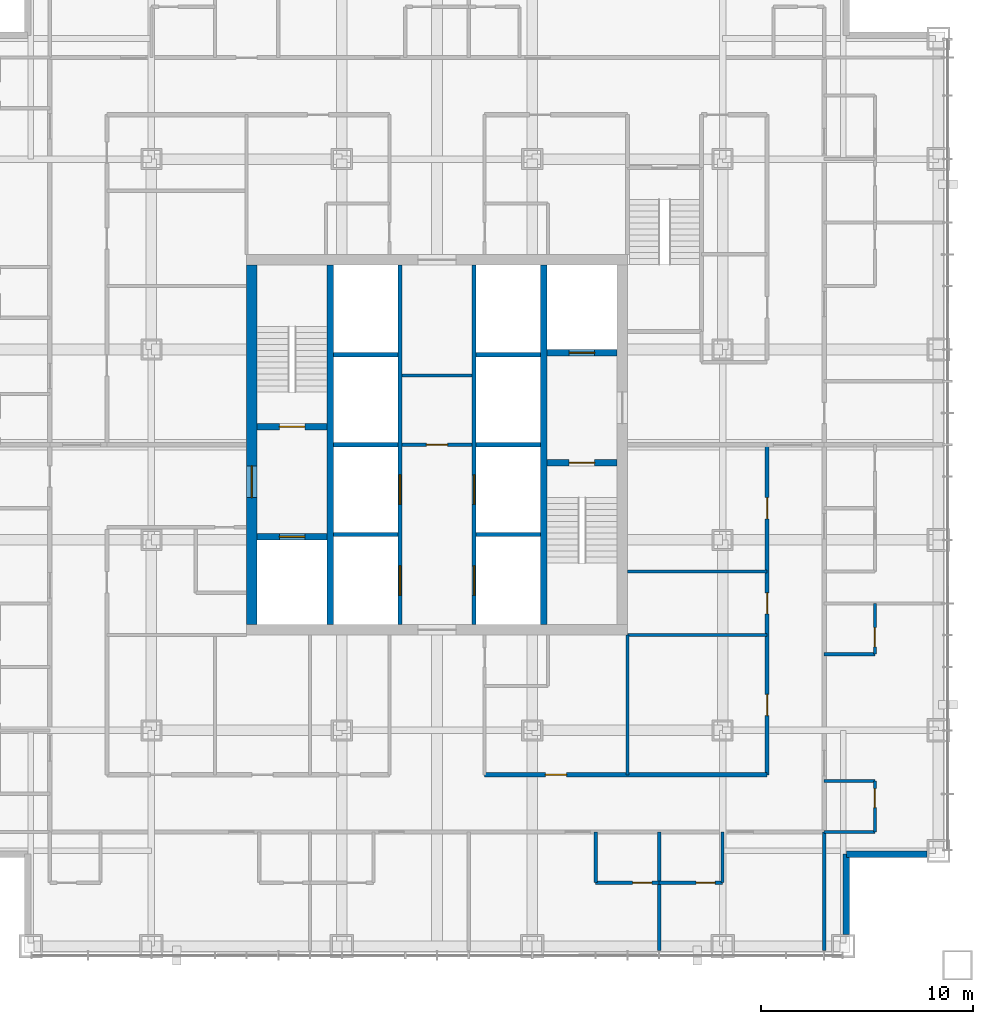
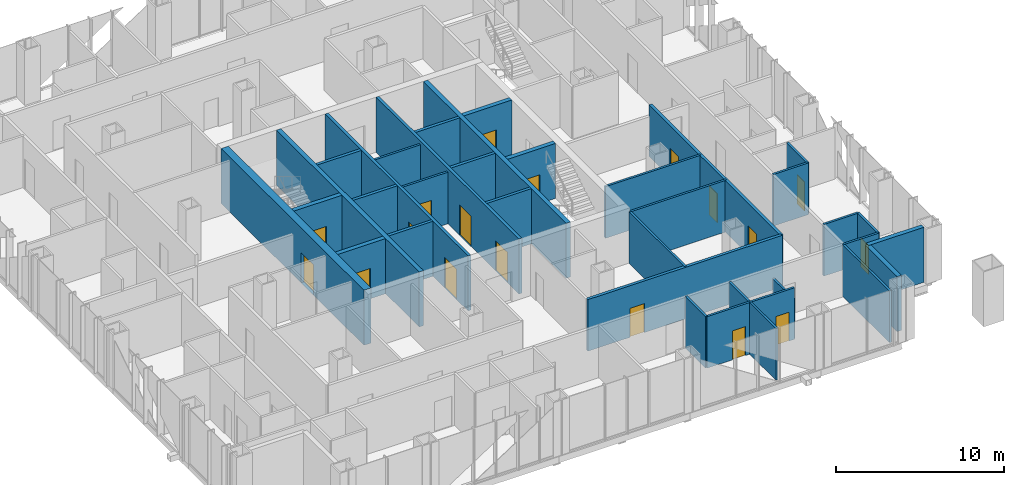
# One storey, part 10 of 14: 35 walls, 18 doors, 18 openings.
"""IFC4 building model written with IfcOpenShell, lengths in metres."""

import ifcopenshell
import ifcopenshell.guid

model = None  # the IFC model being written
_history = None  # IfcOwnerHistory: only IFC2X3 demands one
_inside = {}  # id of a spatial element -> (the spatial element, [elements in it])
_under = {}  # id of a project, library or spatial element -> (it, [spatial elements below it])
_declared = {}  # id of a project -> (the project, [libraries it declares])
_typed = {}  # id of a type object -> (the type object, [elements of that type])
_made_of = {}  # id of a material, layer set ... -> (it, [elements and type objects made of it])


def new_model(schema):
    """Start an empty IFC model of exactly this schema.

    Asked for "IFC4X3", IfcOpenShell would pick the latest addendum, in which some entities
    have other attributes; the version numbers below select the first issue.
    IFC2X3 requires an IfcOwnerHistory on every rooted entity: one is made here for all.
    """
    global model, _history
    if schema == "IFC4X3":
        model = ifcopenshell.file(schema_version=(4, 3, 0, 0))
    else:
        model = ifcopenshell.file(schema=schema)
    _inside.clear()
    _under.clear()
    _declared.clear()
    _typed.clear()
    _made_of.clear()
    _history = None
    if model.schema == "IFC2X3":
        org = make("IfcOrganization", Name="unknown")
        user = make(
            "IfcPersonAndOrganization",
            ThePerson=make("IfcPerson", FamilyName="unknown"),
            TheOrganization=org,
        )
        app = make(
            "IfcApplication",
            ApplicationDeveloper=org,
            Version="unknown",
            ApplicationFullName="unknown",
            ApplicationIdentifier="unknown",
        )
        _history = make(
            "IfcOwnerHistory",
            OwningUser=user,
            OwningApplication=app,
            ChangeAction="ADDED",
            CreationDate=0,
        )
    return model


def make(cls, **values):
    """One entity of the class cls with the attributes given. An attribute that is None is left unset."""
    return model.create_entity(
        cls, **{name: value for name, value in values.items() if value is not None}
    )


def rooted(cls, **values):
    """An entity with a GlobalId (a new one), such as an element, a storey or a relation."""
    return make(cls, GlobalId=ifcopenshell.guid.new(), OwnerHistory=_history, **values)


def si_unit(unit_type, name, prefix=None):
    """IfcSIUnit, for example si_unit("LENGTHUNIT", "METRE", prefix="MILLI")."""
    return make("IfcSIUnit", UnitType=unit_type, Prefix=prefix, Name=name)


def assignment(units):
    """IfcUnitAssignment: the units of a project."""
    return None if units is None else make("IfcUnitAssignment", Units=units)


def point(xyz):
    """IfcCartesianPoint."""
    return None if xyz is None else make("IfcCartesianPoint", Coordinates=xyz)


def direction(xyz):
    """IfcDirection."""
    return None if xyz is None else make("IfcDirection", DirectionRatios=xyz)


def frame(location, z_axis=None, x_axis=None):
    """IfcAxis2Placement3D, a coordinate frame: its origin and axes. An axis left out is left unset."""
    return make(
        "IfcAxis2Placement3D",
        Location=point(location),
        Axis=direction(z_axis),
        RefDirection=direction(x_axis),
    )


def frame_2d(location, x_axis=None):
    """IfcAxis2Placement2D, a coordinate frame in the plane: its origin and x axis."""
    return make(
        "IfcAxis2Placement2D", Location=point(location), RefDirection=direction(x_axis)
    )


def origin():
    """The frame at (0, 0, 0) with its axes left unset."""
    return frame((0.0, 0.0, 0.0))


def place(relative_to, where):
    """IfcLocalPlacement: puts the frame where relative to a parent placement (None: the world)."""
    return make(
        "IfcLocalPlacement", PlacementRelTo=relative_to, RelativePlacement=where
    )


def context(
    kind, dimensions, precision=None, world=None, true_north=None, identifier=None
):
    """IfcGeometricRepresentationContext, for example the 3D "Model" context."""
    return make(
        "IfcGeometricRepresentationContext",
        ContextIdentifier=identifier,
        ContextType=kind,
        CoordinateSpaceDimension=dimensions,
        Precision=precision,
        WorldCoordinateSystem=world,
        TrueNorth=true_north,
    )


def subcontext(parent, identifier, kind, view, scale=None):
    """IfcGeometricRepresentationSubContext, for example "Body" below "Model"."""
    return make(
        "IfcGeometricRepresentationSubContext",
        ContextIdentifier=identifier,
        ContextType=kind,
        ParentContext=parent,
        TargetScale=scale,
        TargetView=view,
    )


def project(units=None, contexts=None):
    """IfcProject with its units and contexts."""
    return rooted(
        "IfcProject",
        Name="project",
        RepresentationContexts=contexts,
        UnitsInContext=assignment(units),
    )


def spatial(cls, under=None, at=None, **own):
    """A site, building, storey or space (cls), placed at a placement, below another one or the project."""
    s = rooted(cls, ObjectPlacement=at, **own)
    if under is not None:
        _under.setdefault(under.id(), (under, []))[1].append(s)
    return s


def profile(cls, at=None, kind="AREA", **sizes):
    """A parametric profile (cls). Its sizes go by their IFC names, for example OverallWidth=200.0."""
    return make(cls, ProfileType=kind, Position=at, **sizes)


def rectangle(**sizes):
    """IfcRectangleProfileDef."""
    return profile("IfcRectangleProfileDef", **sizes)


def extrude(swept, where, along, depth):
    """IfcExtrudedAreaSolid: the profile swept, set in the frame where, extruded along a direction by depth."""
    return make(
        "IfcExtrudedAreaSolid",
        SweptArea=swept,
        Position=where,
        ExtrudedDirection=direction(along),
        Depth=depth,
    )


def shape(context_of_items, identifier, shape_type, items):
    """IfcShapeRepresentation: the items that make up one representation, for example the "Body"."""
    return make(
        "IfcShapeRepresentation",
        ContextOfItems=context_of_items,
        RepresentationIdentifier=identifier,
        RepresentationType=shape_type,
        Items=items,
    )


def material(Name=None, Category=None):
    """IfcMaterial."""
    return make("IfcMaterial", Name=Name, Category=Category)


def layer(
    of_material, thickness, ventilated=None, Name=None, Category=None, Priority=None
):
    """IfcMaterialLayer: one layer of a wall or slab, of a material (None: an air gap)."""
    return make(
        "IfcMaterialLayer",
        Material=of_material,
        LayerThickness=thickness,
        IsVentilated=ventilated,
        Name=Name,
        Category=Category,
        Priority=Priority,
    )


def layer_set(layers, Name=None):
    """IfcMaterialLayerSet."""
    return make("IfcMaterialLayerSet", MaterialLayers=layers, LayerSetName=Name)


def made_of(thing, what):
    """Note that an element or type object is made of a material, layer set ...; save() writes the relation."""
    if what is not None:
        _made_of.setdefault(what.id(), (what, []))[1].append(thing)
    return thing


def type_object(cls, material=None, **own):
    """A type object (cls), such as IfcWallType, which elements share."""
    return made_of(rooted(cls, **own), material)


def element(
    cls,
    number,
    at=None,
    inside=None,
    cuts=None,
    type_object=None,
    material=None,
    context=None,
    identifier="Body",
    shape_type=None,
    held_by="IfcProductDefinitionShape",
    body=None,
    shapes=None,
    **own,
):
    """One element of the class cls, such as IfcWall. Its Tag is "e" and its number.

    at: its placement. inside: the storey or other place that contains it. cuts: it is an
    opening in that element (IfcRelVoidsElement). A single representation is given by context,
    identifier, shape_type and body (its items); several are given by shapes. held_by: the class
    of the entity that holds the representations. save() writes the other relations.
    """
    e = rooted(cls, Tag="e%d" % number, ObjectPlacement=at, **own)
    if body is not None:
        shapes = [shape(context, identifier, shape_type, body)]
    if shapes is not None:
        e.Representation = make(held_by, Representations=shapes)
    if inside is not None:
        _inside.setdefault(inside.id(), (inside, []))[1].append(e)
    if cuts is not None:
        rooted(
            "IfcRelVoidsElement", RelatingBuildingElement=cuts, RelatedOpeningElement=e
        )
    if type_object is not None:
        _typed.setdefault(type_object.id(), (type_object, []))[1].append(e)
    return made_of(e, material)


def fill(opening, filler):
    """IfcRelFillsElement: the door or window that sits in an opening."""
    return rooted(
        "IfcRelFillsElement",
        RelatingOpeningElement=opening,
        RelatedBuildingElement=filler,
    )


def aggregate(whole, parts):
    """IfcRelAggregates: a whole, such as a stair, and the parts it consists of."""
    return rooted("IfcRelAggregates", RelatingObject=whole, RelatedObjects=parts)


def save(model, path):
    """Write the relations noted so far, then the file.

    IfcRelAggregates (storeys below a building ...), IfcRelContainedInSpatialStructure (elements
    in a storey), IfcRelDefinesByType, IfcRelAssociatesMaterial and IfcRelDeclares: one each for
    every whole, place, type object, material and project.
    """
    for whole, parts in _under.values():
        aggregate(whole, parts)
    for where, things in _inside.values():
        rooted(
            "IfcRelContainedInSpatialStructure",
            RelatedElements=things,
            RelatingStructure=where,
        )
    for kind, things in _typed.values():
        rooted("IfcRelDefinesByType", RelatedObjects=things, RelatingType=kind)
    for what, things in _made_of.values():
        rooted("IfcRelAssociatesMaterial", RelatedObjects=things, RelatingMaterial=what)
    for by, libraries in _declared.values():
        rooted("IfcRelDeclares", RelatingContext=by, RelatedDefinitions=libraries)
    model.write(path)


model = new_model("IFC4")

# Units and contexts
model_context = context("Model", 3, precision=1e-05, world=origin(), true_north=direction((0.0, 1.0)))
body_context = subcontext(model_context, "Body", "Model", "MODEL_VIEW")
ifc_project = project(units=[si_unit("LENGTHUNIT", "METRE"), si_unit("AREAUNIT", "SQUARE_METRE"), si_unit("VOLUMEUNIT", "CUBIC_METRE"), si_unit("PLANEANGLEUNIT", "RADIAN"), si_unit("MASSUNIT", "GRAM", prefix="KILO")], contexts=[model_context])

# Site, building, storey
site_placement = place(None, origin())
site = spatial("IfcSite", under=ifc_project, at=site_placement, CompositionType="ELEMENT")
building_placement = place(site_placement, origin())
building = spatial("IfcBuilding", under=site, at=building_placement, Name="Malebo Sky Hospital", CompositionType="ELEMENT")
storey_placement = place(building_placement, frame((0.0, 0.0, 148.0)))
storey = spatial("IfcBuildingStorey", under=building, at=storey_placement, Name="L35", CompositionType="ELEMENT", Elevation=148.0)

# Wall, openings, doors
ifc_material_1 = material(Name="Concrete C80/95", Category="concrete")
ifc_layer_1 = layer(ifc_material_1, 0.199951171875)
ifc_layer_set_1 = layer_set([ifc_layer_1], Name="CORE INNER WALL 200")
wall_type_1 = type_object("IfcWallType", Name="CORE INNER WALL 200", PredefinedType="SHEAR", material=ifc_layer_set_1)
wall_1_placement = place(storey_placement, frame((58.25, 53.5, 0.0), z_axis=(0.0, 0.0, 1.0), x_axis=(0.0, 1.0, 0.0)))
wall_1 = element("IfcWall", 1, at=wall_1_placement, inside=storey, type_object=wall_type_1, Name="Core wall LW L35", PredefinedType="SHEAR", context=body_context, shape_type="SweptSolid", body=[
    extrude(rectangle(XDim=17.0, YDim=0.199951171875, at=frame_2d((8.5, 0.0))), origin(), (0.0, 0.0, 1.0), 4.0),
])
opening_1_placement = place(wall_1_placement, frame((1.375, 0.0, 0.0)))
opening_1 = element("IfcOpeningElement", 2, at=opening_1_placement, cuts=wall_1, Name="Opening LD1", PredefinedType="OPENING", context=body_context, shape_type="SweptSolid", body=[
    extrude(rectangle(XDim=1.39990234375, YDim=2.199951171875, at=frame_2d((0.699951171875, 1.10009765625))), frame((0.0, 0.10986328125, 0.0), z_axis=(0.0, -1.0, 0.0), x_axis=(1.0, 0.0, 0.0)), (0.0, 0.0, 1.0), 0.219970703125),
])
opening_2_placement = place(wall_1_placement, frame((5.675048828125, 0.0, 0.0)))
opening_2 = element("IfcOpeningElement", 3, at=opening_2_placement, cuts=wall_1, Name="Opening LD1", PredefinedType="OPENING", context=body_context, shape_type="SweptSolid", body=[
    extrude(rectangle(XDim=1.39990234375, YDim=2.199951171875, at=frame_2d((0.699951171875, 1.10009765625))), frame((0.0, 0.10986328125, 0.0), z_axis=(0.0, -1.0, 0.0), x_axis=(1.0, 0.0, 0.0)), (0.0, 0.0, 1.0), 0.219970703125),
])
ifc_material_2 = material(Name="Stainless steel sliding landing door", Category="steel")
door_type_1 = type_object("IfcDoorType", Name="LIFT LANDING DOOR 1400", OperationType="SLIDING_TO_LEFT", PredefinedType="DOOR", material=ifc_material_2)
door_1_placement = place(opening_1_placement, origin())
door_1 = element("IfcDoor", 4, at=door_1_placement, inside=storey, type_object=door_type_1, Name="Lift W1 landing door", OperationType="SLIDING_TO_LEFT", OverallHeight=2.199951171875, OverallWidth=1.39990234375, PredefinedType="DOOR", context=body_context, shape_type="SweptSolid", body=[
    extrude(rectangle(XDim=1.39990234375, YDim=2.199951171875, at=frame_2d((0.699951171875, 1.10009765625))), frame((0.0, 0.02490234375, 0.0), z_axis=(0.0, -1.0, 0.0), x_axis=(1.0, 0.0, 0.0)), (0.0, 0.0, 1.0), 0.050048828125),
])
fill(opening_1, door_1)
door_2_placement = place(opening_2_placement, origin())
door_2 = element("IfcDoor", 5, at=door_2_placement, inside=storey, type_object=door_type_1, Name="Lift W2 landing door", OperationType="SLIDING_TO_LEFT", OverallHeight=2.199951171875, OverallWidth=1.39990234375, PredefinedType="DOOR", context=body_context, shape_type="SweptSolid", body=[
    extrude(rectangle(XDim=1.39990234375, YDim=2.199951171875, at=frame_2d((0.699951171875, 1.10009765625))), frame((0.0, 0.02490234375, 0.0), z_axis=(0.0, -1.0, 0.0), x_axis=(1.0, 0.0, 0.0)), (0.0, 0.0, 1.0), 0.050048828125),
])
fill(opening_2, door_2)

wall_2_placement = place(storey_placement, frame((61.75, 53.5, 0.0), z_axis=(0.0, 0.0, 1.0), x_axis=(0.0, 1.0, 0.0)))
wall_2 = element("IfcWall", 6, at=wall_2_placement, inside=storey, type_object=wall_type_1, Name="Core wall LE L35", PredefinedType="SHEAR", context=body_context, shape_type="SweptSolid", body=[
    extrude(rectangle(XDim=17.0, YDim=0.199951171875, at=frame_2d((8.5, 0.0))), origin(), (0.0, 0.0, 1.0), 4.0),
])
opening_3_placement = place(wall_2_placement, frame((1.375, 0.0, 0.0)))
opening_3 = element("IfcOpeningElement", 7, at=opening_3_placement, cuts=wall_2, Name="Opening LD1", PredefinedType="OPENING", context=body_context, shape_type="SweptSolid", body=[
    extrude(rectangle(XDim=1.39990234375, YDim=2.199951171875, at=frame_2d((0.699951171875, 1.10009765625))), frame((0.0, 0.10986328125, 0.0), z_axis=(0.0, -1.0, 0.0), x_axis=(1.0, 0.0, 0.0)), (0.0, 0.0, 1.0), 0.219970703125),
])
opening_4_placement = place(wall_2_placement, frame((5.675048828125, 0.0, 0.0)))
opening_4 = element("IfcOpeningElement", 8, at=opening_4_placement, cuts=wall_2, Name="Opening LD1", PredefinedType="OPENING", context=body_context, shape_type="SweptSolid", body=[
    extrude(rectangle(XDim=1.39990234375, YDim=2.199951171875, at=frame_2d((0.699951171875, 1.10009765625))), frame((0.0, 0.10986328125, 0.0), z_axis=(0.0, -1.0, 0.0), x_axis=(1.0, 0.0, 0.0)), (0.0, 0.0, 1.0), 0.219970703125),
])
door_3_placement = place(opening_3_placement, origin())
door_3 = element("IfcDoor", 9, at=door_3_placement, inside=storey, type_object=door_type_1, Name="Lift E1 landing door", OperationType="SLIDING_TO_LEFT", OverallHeight=2.199951171875, OverallWidth=1.39990234375, PredefinedType="DOOR", context=body_context, shape_type="SweptSolid", body=[
    extrude(rectangle(XDim=1.39990234375, YDim=2.199951171875, at=frame_2d((0.699951171875, 1.10009765625))), frame((0.0, 0.02490234375, 0.0), z_axis=(0.0, -1.0, 0.0), x_axis=(1.0, 0.0, 0.0)), (0.0, 0.0, 1.0), 0.050048828125),
])
fill(opening_3, door_3)
door_4_placement = place(opening_4_placement, origin())
door_4 = element("IfcDoor", 10, at=door_4_placement, inside=storey, type_object=door_type_1, Name="Lift E2 landing door", OperationType="SLIDING_TO_LEFT", OverallHeight=2.199951171875, OverallWidth=1.39990234375, PredefinedType="DOOR", context=body_context, shape_type="SweptSolid", body=[
    extrude(rectangle(XDim=1.39990234375, YDim=2.199951171875, at=frame_2d((0.699951171875, 1.10009765625))), frame((0.0, 0.02490234375, 0.0), z_axis=(0.0, -1.0, 0.0), x_axis=(1.0, 0.0, 0.0)), (0.0, 0.0, 1.0), 0.050048828125),
])
fill(opening_4, door_4)

# Walls
for number, where, z_axis, x_axis, name in (
    (11, (55.10009765625, 57.75, 0.0), (0.0, 0.0, 1.0), (1.0, 0.0, 0.0), "Core wall SW0 L35"),
    (12, (61.85009765625, 57.75, 0.0), (0.0, 0.0, 1.0), (1.0, 0.0, 0.0), "Core wall SE0 L35"),
    (13, (55.10009765625, 62.0, 0.0), (0.0, 0.0, 1.0), (1.0, 0.0, 0.0), "Core wall SW1 L35"),
    (14, (61.85009765625, 62.0, 0.0), (0.0, 0.0, 1.0), (1.0, 0.0, 0.0), "Core wall SE1 L35"),
    (15, (55.10009765625, 66.25, 0.0), (0.0, 0.0, 1.0), (1.0, 0.0, 0.0), "Core wall SW2 L35"),
    (16, (61.85009765625, 66.25, 0.0), (0.0, 0.0, 1.0), (1.0, 0.0, 0.0), "Core wall SE2 L35"),
):
    element("IfcWall", number, at=place(storey_placement, frame(where, z_axis=z_axis, x_axis=x_axis)), inside=storey, type_object=wall_type_1, Name=name, PredefinedType="SHEAR", context=body_context, shape_type="SweptSolid", body=[
        extrude(rectangle(XDim=3.0498046875, YDim=0.199951171875, at=frame_2d((1.52490234375, 0.0))), origin(), (0.0, 0.0, 1.0), 4.0),
    ])
ifc_layer_2 = layer(ifc_material_1, 0.300048828125)
ifc_layer_set_2 = layer_set([ifc_layer_2], Name="CORE INNER WALL 300")
wall_type_2 = type_object("IfcWallType", Name="CORE INNER WALL 300", PredefinedType="SHEAR", material=ifc_layer_set_2)
for number, where, z_axis, x_axis, name in (
    (17, (54.949951171875, 53.5, 0.0), (0.0, 0.0, 1.0), (0.0, 1.0, 0.0), "Core wall XW L35"),
    (18, (65.050048828125, 53.5, 0.0), (0.0, 0.0, 1.0), (0.0, 1.0, 0.0), "Core wall XE L35"),
):
    element("IfcWall", number, at=place(storey_placement, frame(where, z_axis=z_axis, x_axis=x_axis)), inside=storey, type_object=wall_type_2, Name=name, PredefinedType="SHEAR", context=body_context, shape_type="SweptSolid", body=[
        extrude(rectangle(XDim=17.0, YDim=0.300048828125, at=frame_2d((8.5, 0.0))), origin(), (0.0, 0.0, 1.0), 4.0),
    ])

# Wall, opening, door
wall_3_placement = place(storey_placement, frame((51.5, 62.85009765625, 0.0), z_axis=(0.0, 0.0, 1.0), x_axis=(1.0, 0.0, 0.0)))
wall_3 = element("IfcWall", 19, at=wall_3_placement, inside=storey, type_object=wall_type_2, Name="Core wall W1 L35", PredefinedType="SHEAR", context=body_context, shape_type="SweptSolid", body=[
    extrude(rectangle(XDim=3.300048828125, YDim=0.300048828125, at=frame_2d((1.64990234375, 0.0))), origin(), (0.0, 0.0, 1.0), 4.0),
])
opening_5_placement = place(wall_3_placement, frame((1.050048828125, 0.0, 0.0)))
opening_5 = element("IfcOpeningElement", 20, at=opening_5_placement, cuts=wall_3, Name="Opening D08", PredefinedType="OPENING", context=body_context, shape_type="SweptSolid", body=[
    extrude(rectangle(XDim=1.199951171875, YDim=2.10009765625, at=frame_2d((0.60009765625, 1.050048828125))), frame((0.0, 0.159912109375, 0.0), z_axis=(0.0, -1.0, 0.0), x_axis=(1.0, 0.0, 0.0)), (0.0, 0.0, 1.0), 0.320068359375),
])
ifc_material_3 = material(Name="Hardwood-faced door leaf in steel frame", Category="steel")
door_type_2 = type_object("IfcDoorType", Name="STAIR DOOR 1200", OperationType="SINGLE_SWING_LEFT", PredefinedType="DOOR", material=ifc_material_3)
door_5_placement = place(opening_5_placement, origin())
door_5 = element("IfcDoor", 21, at=door_5_placement, inside=storey, type_object=door_type_2, Name="Stair S1 door", OperationType="SINGLE_SWING_LEFT", OverallHeight=2.10009765625, OverallWidth=1.199951171875, PredefinedType="DOOR", context=body_context, shape_type="SweptSolid", body=[
    extrude(rectangle(XDim=1.199951171875, YDim=2.10009765625, at=frame_2d((0.60009765625, 1.050048828125))), frame((0.0, 0.02490234375, 0.0), z_axis=(0.0, -1.0, 0.0), x_axis=(1.0, 0.0, 0.0)), (0.0, 0.0, 1.0), 0.050048828125),
])
fill(opening_5, door_5)

wall_4_placement = place(storey_placement, frame((51.5, 57.64990234375, 0.0), z_axis=(0.0, 0.0, 1.0), x_axis=(1.0, 0.0, 0.0)))
wall_4 = element("IfcWall", 22, at=wall_4_placement, inside=storey, type_object=wall_type_2, Name="Core wall W2 L35", PredefinedType="SHEAR", context=body_context, shape_type="SweptSolid", body=[
    extrude(rectangle(XDim=3.300048828125, YDim=0.300048828125, at=frame_2d((1.64990234375, 0.0))), origin(), (0.0, 0.0, 1.0), 4.0),
])
opening_6_placement = place(wall_4_placement, frame((1.050048828125, 0.0, 0.0)))
opening_6 = element("IfcOpeningElement", 23, at=opening_6_placement, cuts=wall_4, Name="Opening LD2", PredefinedType="OPENING", context=body_context, shape_type="SweptSolid", body=[
    extrude(rectangle(XDim=1.199951171875, YDim=2.199951171875, at=frame_2d((0.60009765625, 1.10009765625))), frame((0.0, 0.159912109375, 0.0), z_axis=(0.0, -1.0, 0.0), x_axis=(1.0, 0.0, 0.0)), (0.0, 0.0, 1.0), 0.320068359375),
])
door_type_3 = type_object("IfcDoorType", Name="FIRE-FIGHTING LIFT LANDING DOOR 1200", OperationType="SLIDING_TO_LEFT", PredefinedType="DOOR", material=ifc_material_2)
door_6_placement = place(opening_6_placement, origin())
door_6 = element("IfcDoor", 24, at=door_6_placement, inside=storey, type_object=door_type_3, Name="Lift FL1 landing door", OperationType="SLIDING_TO_LEFT", OverallHeight=2.199951171875, OverallWidth=1.199951171875, PredefinedType="DOOR", context=body_context, shape_type="SweptSolid", body=[
    extrude(rectangle(XDim=1.199951171875, YDim=2.199951171875, at=frame_2d((0.60009765625, 1.10009765625))), frame((0.0, 0.02490234375, 0.0), z_axis=(0.0, -1.0, 0.0), x_axis=(1.0, 0.0, 0.0)), (0.0, 0.0, 1.0), 0.050048828125),
])
fill(opening_6, door_6)

wall_5_placement = place(storey_placement, frame((65.199951171875, 61.14990234375, 0.0), z_axis=(0.0, 0.0, 1.0), x_axis=(1.0, 0.0, 0.0)))
wall_5 = element("IfcWall", 25, at=wall_5_placement, inside=storey, type_object=wall_type_2, Name="Core wall E1 L35", PredefinedType="SHEAR", context=body_context, shape_type="SweptSolid", body=[
    extrude(rectangle(XDim=3.300048828125, YDim=0.300048828125, at=frame_2d((1.64990234375, 0.0))), origin(), (0.0, 0.0, 1.0), 4.0),
])
opening_7_placement = place(wall_5_placement, frame((1.050048828125, 0.0, 0.0)))
opening_7 = element("IfcOpeningElement", 26, at=opening_7_placement, cuts=wall_5, Name="Opening D08", PredefinedType="OPENING", context=body_context, shape_type="SweptSolid", body=[
    extrude(rectangle(XDim=1.199951171875, YDim=2.10009765625, at=frame_2d((0.60009765625, 1.050048828125))), frame((0.0, 0.159912109375, 0.0), z_axis=(0.0, -1.0, 0.0), x_axis=(1.0, 0.0, 0.0)), (0.0, 0.0, 1.0), 0.320068359375),
])
door_7_placement = place(opening_7_placement, origin())
door_7 = element("IfcDoor", 27, at=door_7_placement, inside=storey, type_object=door_type_2, Name="Stair S2 door", OperationType="SINGLE_SWING_LEFT", OverallHeight=2.10009765625, OverallWidth=1.199951171875, PredefinedType="DOOR", context=body_context, shape_type="SweptSolid", body=[
    extrude(rectangle(XDim=1.199951171875, YDim=2.10009765625, at=frame_2d((0.60009765625, 1.050048828125))), frame((0.0, 0.02490234375, 0.0), z_axis=(0.0, -1.0, 0.0), x_axis=(1.0, 0.0, 0.0)), (0.0, 0.0, 1.0), 0.050048828125),
])
fill(opening_7, door_7)

wall_6_placement = place(storey_placement, frame((65.199951171875, 66.35009765625, 0.0), z_axis=(0.0, 0.0, 1.0), x_axis=(1.0, 0.0, 0.0)))
wall_6 = element("IfcWall", 28, at=wall_6_placement, inside=storey, type_object=wall_type_2, Name="Core wall E2 L35", PredefinedType="SHEAR", context=body_context, shape_type="SweptSolid", body=[
    extrude(rectangle(XDim=3.300048828125, YDim=0.300048828125, at=frame_2d((1.64990234375, 0.0))), origin(), (0.0, 0.0, 1.0), 4.0),
])
opening_8_placement = place(wall_6_placement, frame((1.050048828125, 0.0, 0.0)))
opening_8 = element("IfcOpeningElement", 29, at=opening_8_placement, cuts=wall_6, Name="Opening LD2", PredefinedType="OPENING", context=body_context, shape_type="SweptSolid", body=[
    extrude(rectangle(XDim=1.199951171875, YDim=2.199951171875, at=frame_2d((0.60009765625, 1.10009765625))), frame((0.0, 0.159912109375, 0.0), z_axis=(0.0, -1.0, 0.0), x_axis=(1.0, 0.0, 0.0)), (0.0, 0.0, 1.0), 0.320068359375),
])
door_8_placement = place(opening_8_placement, origin())
door_8 = element("IfcDoor", 30, at=door_8_placement, inside=storey, type_object=door_type_3, Name="Lift FL2 landing door", OperationType="SLIDING_TO_LEFT", OverallHeight=2.199951171875, OverallWidth=1.199951171875, PredefinedType="DOOR", context=body_context, shape_type="SweptSolid", body=[
    extrude(rectangle(XDim=1.199951171875, YDim=2.199951171875, at=frame_2d((0.60009765625, 1.10009765625))), frame((0.0, 0.02490234375, 0.0), z_axis=(0.0, -1.0, 0.0), x_axis=(1.0, 0.0, 0.0)), (0.0, 0.0, 1.0), 0.050048828125),
])
fill(opening_8, door_8)

ifc_layer_3 = layer(ifc_material_1, 0.5)
ifc_layer_set_3 = layer_set([ifc_layer_3], Name="CORE WALL 500")
wall_type_3 = type_object("IfcWallType", Name="CORE WALL 500", PredefinedType="SHEAR", material=ifc_layer_set_3)
wall_7_placement = place(storey_placement, frame((51.25, 53.5, 0.0), z_axis=(0.0, 0.0, 1.0), x_axis=(0.0, 1.0, 0.0)))
wall_7 = element("IfcWall", 31, at=wall_7_placement, inside=storey, type_object=wall_type_3, Name="Core wall W L35", PredefinedType="SHEAR", context=body_context, shape_type="SweptSolid", body=[
    extrude(rectangle(XDim=17.0, YDim=0.5, at=frame_2d((8.5, 0.0))), origin(), (0.0, 0.0, 1.0), 4.0),
])
opening_9_placement = place(wall_7_placement, frame((6.0, 0.0, 0.0)))
opening_9 = element("IfcOpeningElement", 32, at=opening_9_placement, cuts=wall_7, Name="Opening D07", PredefinedType="OPENING", context=body_context, shape_type="SweptSolid", body=[
    extrude(rectangle(XDim=1.5, YDim=2.199951171875, at=frame_2d((0.75, 1.10009765625))), frame((0.0, 0.260009765625, 0.0), z_axis=(0.0, -1.0, 0.0), x_axis=(1.0, 0.0, 0.0)), (0.0, 0.0, 1.0), 0.52001953125),
])
door_type_4 = type_object("IfcDoorType", Name="FIRE-FIGHTING LOBBY DOOR PAIR 1500", OperationType="DOUBLE_DOOR_SINGLE_SWING", PredefinedType="DOOR", material=ifc_material_3)
door_9_placement = place(opening_9_placement, origin())
door_9 = element("IfcDoor", 33, at=door_9_placement, inside=storey, type_object=door_type_4, Name="Fire-fighting lobby door west", OperationType="DOUBLE_DOOR_SINGLE_SWING", OverallHeight=2.199951171875, OverallWidth=1.5, PredefinedType="DOOR", context=body_context, shape_type="SweptSolid", body=[
    extrude(rectangle(XDim=1.5, YDim=2.199951171875, at=frame_2d((0.75, 1.10009765625))), frame((0.0, 0.02490234375, 0.0), z_axis=(0.0, -1.0, 0.0), x_axis=(1.0, 0.0, 0.0)), (0.0, 0.0, 1.0), 0.050048828125),
])
fill(opening_9, door_9)

ifc_material_4 = material(Name="Gypsum board on steel studs", Category="steel")
ifc_layer_4 = layer(ifc_material_4, 0.199951171875)
ifc_layer_set_4 = layer_set([ifc_layer_4], Name="CORRIDOR WALL 200")
wall_type_4 = type_object("IfcWallType", Name="CORRIDOR WALL 200", PredefinedType="PARTITIONING", material=ifc_layer_set_4)
wall_8_placement = place(storey_placement, frame((75.60009765625, 46.39990234375, 0.0), z_axis=(0.0, 0.0, 1.0), x_axis=(-1.0, 0.0, 0.0)))
wall_8 = element("IfcWall", 34, at=wall_8_placement, inside=storey, type_object=wall_type_4, Name="Corridor Wall 200 SCI1", PredefinedType="PARTITIONING", context=body_context, shape_type="SweptSolid", body=[
    extrude(rectangle(XDim=13.35009765625, YDim=0.199951171875, at=frame_2d((6.675048828125, 0.0))), origin(), (0.0, 0.0, 1.0), 3.75),
])
opening_10_placement = place(wall_8_placement, frame((9.47509765625, 0.0, 0.0)))
opening_10 = element("IfcOpeningElement", 35, at=opening_10_placement, cuts=wall_8, Name="Opening D03", PredefinedType="OPENING", context=body_context, shape_type="SweptSolid", body=[
    extrude(rectangle(XDim=1.0, YDim=2.10009765625, at=frame_2d((0.5, 1.050048828125))), frame((0.0, 0.10986328125, 0.0), z_axis=(0.0, -1.0, 0.0), x_axis=(1.0, 0.0, 0.0)), (0.0, 0.0, 1.0), 0.219970703125),
])
door_type_5 = type_object("IfcDoorType", Name="ROOM DOOR 1000", OperationType="SINGLE_SWING_LEFT", PredefinedType="DOOR", material=ifc_material_3)
door_10_placement = place(opening_10_placement, origin())
door_10 = element("IfcDoor", 36, at=door_10_placement, inside=storey, type_object=door_type_5, Name="Staff base door", OperationType="SINGLE_SWING_LEFT", OverallHeight=2.10009765625, OverallWidth=1.0, PredefinedType="DOOR", context=body_context, shape_type="SweptSolid", body=[
    extrude(rectangle(XDim=1.0, YDim=2.10009765625, at=frame_2d((0.5, 1.050048828125))), frame((0.0, 0.02490234375, 0.0), z_axis=(0.0, -1.0, 0.0), x_axis=(1.0, 0.0, 0.0)), (0.0, 0.0, 1.0), 0.050048828125),
])
fill(opening_10, door_10)

# Wall, openings, doors
wall_9_placement = place(storey_placement, frame((75.60009765625, 62.0, 0.0), z_axis=(0.0, 0.0, 1.0), x_axis=(0.0, -1.0, 0.0)))
wall_9 = element("IfcWall", 37, at=wall_9_placement, inside=storey, type_object=wall_type_4, Name="Corridor Wall 200 ECI2", PredefinedType="PARTITIONING", context=body_context, shape_type="SweptSolid", body=[
    extrude(rectangle(XDim=15.60009765625, YDim=0.199951171875, at=frame_2d((7.800048828125, 0.0))), origin(), (0.0, 0.0, 1.0), 3.75),
])
opening_11_placement = place(wall_9_placement, frame((2.5, 0.0, 0.0)))
opening_11 = element("IfcOpeningElement", 38, at=opening_11_placement, cuts=wall_9, Name="Opening D03", PredefinedType="OPENING", context=body_context, shape_type="SweptSolid", body=[
    extrude(rectangle(XDim=1.0, YDim=2.10009765625, at=frame_2d((0.5, 1.050048828125))), frame((0.0, 0.10986328125, 0.0), z_axis=(0.0, -1.0, 0.0), x_axis=(1.0, 0.0, 0.0)), (0.0, 0.0, 1.0), 0.219970703125),
])
opening_12_placement = place(wall_9_placement, frame((7.0, 0.0, 0.0)))
opening_12 = element("IfcOpeningElement", 39, at=opening_12_placement, cuts=wall_9, Name="Opening D03", PredefinedType="OPENING", context=body_context, shape_type="SweptSolid", body=[
    extrude(rectangle(XDim=1.0, YDim=2.10009765625, at=frame_2d((0.5, 1.050048828125))), frame((0.0, 0.10986328125, 0.0), z_axis=(0.0, -1.0, 0.0), x_axis=(1.0, 0.0, 0.0)), (0.0, 0.0, 1.0), 0.219970703125),
])
opening_13_placement = place(wall_9_placement, frame((11.800048828125, 0.0, 0.0)))
opening_13 = element("IfcOpeningElement", 40, at=opening_13_placement, cuts=wall_9, Name="Opening D03", PredefinedType="OPENING", context=body_context, shape_type="SweptSolid", body=[
    extrude(rectangle(XDim=1.0, YDim=2.10009765625, at=frame_2d((0.5, 1.050048828125))), frame((0.0, 0.10986328125, 0.0), z_axis=(0.0, -1.0, 0.0), x_axis=(1.0, 0.0, 0.0)), (0.0, 0.0, 1.0), 0.219970703125),
])
door_11_placement = place(opening_11_placement, origin())
door_11 = element("IfcDoor", 41, at=door_11_placement, inside=storey, type_object=door_type_5, Name="Consulting room door", OperationType="SINGLE_SWING_LEFT", OverallHeight=2.10009765625, OverallWidth=1.0, PredefinedType="DOOR", context=body_context, shape_type="SweptSolid", body=[
    extrude(rectangle(XDim=1.0, YDim=2.10009765625, at=frame_2d((0.5, 1.050048828125))), frame((0.0, 0.02490234375, 0.0), z_axis=(0.0, -1.0, 0.0), x_axis=(1.0, 0.0, 0.0)), (0.0, 0.0, 1.0), 0.050048828125),
])
fill(opening_11, door_11)
door_12_placement = place(opening_12_placement, origin())
door_12 = element("IfcDoor", 42, at=door_12_placement, inside=storey, type_object=door_type_5, Name="Linen store door", OperationType="SINGLE_SWING_LEFT", OverallHeight=2.10009765625, OverallWidth=1.0, PredefinedType="DOOR", context=body_context, shape_type="SweptSolid", body=[
    extrude(rectangle(XDim=1.0, YDim=2.10009765625, at=frame_2d((0.5, 1.050048828125))), frame((0.0, 0.02490234375, 0.0), z_axis=(0.0, -1.0, 0.0), x_axis=(1.0, 0.0, 0.0)), (0.0, 0.0, 1.0), 0.050048828125),
])
fill(opening_12, door_12)
door_13_placement = place(opening_13_placement, origin())
door_13 = element("IfcDoor", 43, at=door_13_placement, inside=storey, type_object=door_type_5, Name="Treatment room door", OperationType="SINGLE_SWING_RIGHT", OverallHeight=2.10009765625, OverallWidth=1.0, PredefinedType="DOOR", context=body_context, shape_type="SweptSolid", body=[
    extrude(rectangle(XDim=1.0, YDim=2.10009765625, at=frame_2d((0.5, 1.050048828125))), frame((0.0, 0.02490234375, 0.0), z_axis=(0.0, -1.0, 0.0), x_axis=(1.0, 0.0, 0.0)), (0.0, 0.0, 1.0), 0.050048828125),
])
fill(opening_13, door_13)

# Walls
ifc_material_5 = material(Name="Anodised aluminium rainscreen on steel framing", Category="steel")
ifc_layer_5 = layer(ifc_material_5, 0.300048828125)
ifc_layer_set_5 = layer_set([ifc_layer_5], Name="NOTCH RAINSCREEN WALL 300")
wall_type_5 = type_object("IfcWallType", Name="NOTCH RAINSCREEN WALL 300", PredefinedType="ELEMENTEDWALL", material=ifc_layer_set_5)
for number, where, z_axis, x_axis, name in (
    (44, (83.14990234375, 42.64990234375, 0.0), (0.0, 0.0, 1.0), (-1.0, 0.0, 0.0), "Notch rainscreen wall E1 L35"),
    (45, (79.35009765625, 42.64990234375, 0.0), (0.0, 0.0, 1.0), (0.0, -1.0, 0.0), "Notch rainscreen wall E2 L35"),
):
    element("IfcWall", number, at=place(storey_placement, frame(where, z_axis=z_axis, x_axis=x_axis)), inside=storey, type_object=wall_type_5, Name=name, PredefinedType="ELEMENTEDWALL", context=body_context, shape_type="SweptSolid", body=[
        extrude(rectangle(XDim=3.7998046875, YDim=0.300048828125, at=frame_2d((1.89990234375, 0.0))), origin(), (0.0, 0.0, 1.0), 4.0),
    ])
ifc_layer_6 = layer(ifc_material_4, 0.14990234375)
ifc_layer_set_6 = layer_set([ifc_layer_6], Name="PARTITION 150")
wall_type_6 = type_object("IfcWallType", Name="PARTITION 150", PredefinedType="PARTITIONING", material=ifc_layer_set_6)
for number, where, z_axis, x_axis, name in (
    (46, (70.5, 43.699951171875, 0.0), (0.0, 0.0, 1.0), (0.0, -1.0, 0.0), "Partition 150 SP-10.5"),
    (47, (78.300048828125, 43.699951171875, 0.0), (0.0, 0.0, 1.0), (0.0, -1.0, 0.0), "Partition 150 SP0"),
):
    element("IfcWall", number, at=place(storey_placement, frame(where, z_axis=z_axis, x_axis=x_axis)), inside=storey, type_object=wall_type_6, Name=name, PredefinedType="PARTITIONING", context=body_context, shape_type="SweptSolid", body=[
        extrude(rectangle(XDim=5.60986328125, YDim=0.14990234375, at=frame_2d((2.804931640625, 0.0))), origin(), (0.0, 0.0, 1.0), 3.75),
    ])

# Wall, opening, door
wall_10_placement = place(storey_placement, frame((73.5, 41.300048828125, 0.0), z_axis=(0.0, 0.0, 1.0), x_axis=(-1.0, 0.0, 0.0)))
wall_10 = element("IfcWall", 48, at=wall_10_placement, inside=storey, type_object=wall_type_6, Name="Partition 150 SE0F", PredefinedType="PARTITIONING", context=body_context, shape_type="SweptSolid", body=[
    extrude(rectangle(XDim=3.0, YDim=0.14990234375, at=frame_2d((1.5, 0.0))), origin(), (0.0, 0.0, 1.0), 3.75),
])
opening_14_placement = place(wall_10_placement, frame((0.35009765625, 0.0, 0.0)))
opening_14 = element("IfcOpeningElement", 49, at=opening_14_placement, cuts=wall_10, Name="Opening D02", PredefinedType="OPENING", context=body_context, shape_type="SweptSolid", body=[
    extrude(rectangle(XDim=0.89990234375, YDim=2.10009765625, at=frame_2d((0.449951171875, 1.050048828125))), frame((0.0, 0.0849609375, 0.0), z_axis=(0.0, -1.0, 0.0), x_axis=(1.0, 0.0, 0.0)), (0.0, 0.0, 1.0), 0.169921875),
])
door_type_6 = type_object("IfcDoorType", Name="EN-SUITE DOOR 900", OperationType="SINGLE_SWING_LEFT", PredefinedType="DOOR", material=ifc_material_3)
door_14_placement = place(opening_14_placement, origin())
door_14 = element("IfcDoor", 50, at=door_14_placement, inside=storey, type_object=door_type_6, Name="En-suite door", OperationType="SINGLE_SWING_LEFT", OverallHeight=2.10009765625, OverallWidth=0.89990234375, PredefinedType="DOOR", context=body_context, shape_type="SweptSolid", body=[
    extrude(rectangle(XDim=0.89990234375, YDim=2.10009765625, at=frame_2d((0.449951171875, 1.050048828125))), frame((0.0, 0.02490234375, 0.0), z_axis=(0.0, -1.0, 0.0), x_axis=(1.0, 0.0, 0.0)), (0.0, 0.0, 1.0), 0.050048828125),
])
fill(opening_14, door_14)

# Wall
wall_11_placement = place(storey_placement, frame((73.5, 43.699951171875, 0.0), z_axis=(0.0, 0.0, 1.0), x_axis=(0.0, -1.0, 0.0)))
element("IfcWall", 51, at=wall_11_placement, inside=storey, type_object=wall_type_6, Name="Partition 150 SE0S", PredefinedType="PARTITIONING", context=body_context, shape_type="SweptSolid", body=[
    extrude(rectangle(XDim=2.39990234375, YDim=0.14990234375, at=frame_2d((1.199951171875, 0.0))), origin(), (0.0, 0.0, 1.0), 2.949951171875),
])

# Wall, opening, door
wall_12_placement = place(storey_placement, frame((70.5, 41.300048828125, 0.0), z_axis=(0.0, 0.0, 1.0), x_axis=(-1.0, 0.0, 0.0)))
wall_12 = element("IfcWall", 52, at=wall_12_placement, inside=storey, type_object=wall_type_6, Name="Partition 150 SE1F", PredefinedType="PARTITIONING", context=body_context, shape_type="SweptSolid", body=[
    extrude(rectangle(XDim=3.0, YDim=0.14990234375, at=frame_2d((1.5, 0.0))), origin(), (0.0, 0.0, 1.0), 3.75),
])
opening_15_placement = place(wall_12_placement, frame((0.35009765625, 0.0, 0.0)))
opening_15 = element("IfcOpeningElement", 53, at=opening_15_placement, cuts=wall_12, Name="Opening D02", PredefinedType="OPENING", context=body_context, shape_type="SweptSolid", body=[
    extrude(rectangle(XDim=0.89990234375, YDim=2.10009765625, at=frame_2d((0.449951171875, 1.050048828125))), frame((0.0, 0.0849609375, 0.0), z_axis=(0.0, -1.0, 0.0), x_axis=(1.0, 0.0, 0.0)), (0.0, 0.0, 1.0), 0.169921875),
])
door_15_placement = place(opening_15_placement, origin())
door_15 = element("IfcDoor", 54, at=door_15_placement, inside=storey, type_object=door_type_6, Name="En-suite door", OperationType="SINGLE_SWING_LEFT", OverallHeight=2.10009765625, OverallWidth=0.89990234375, PredefinedType="DOOR", context=body_context, shape_type="SweptSolid", body=[
    extrude(rectangle(XDim=0.89990234375, YDim=2.10009765625, at=frame_2d((0.449951171875, 1.050048828125))), frame((0.0, 0.02490234375, 0.0), z_axis=(0.0, -1.0, 0.0), x_axis=(1.0, 0.0, 0.0)), (0.0, 0.0, 1.0), 0.050048828125),
])
fill(opening_15, door_15)

# Walls
wall_13_placement = place(storey_placement, frame((67.5, 43.699951171875, 0.0), z_axis=(0.0, 0.0, 1.0), x_axis=(0.0, -1.0, 0.0)))
element("IfcWall", 55, at=wall_13_placement, inside=storey, type_object=wall_type_6, Name="Partition 150 SE1S", PredefinedType="PARTITIONING", context=body_context, shape_type="SweptSolid", body=[
    extrude(rectangle(XDim=2.39990234375, YDim=0.14990234375, at=frame_2d((1.199951171875, 0.0))), origin(), (0.0, 0.0, 1.0), 3.75),
])
wall_14_placement = place(storey_placement, frame((69.0, 53.0, 0.0), z_axis=(0.0, 0.0, 1.0), x_axis=(0.0, -1.0, 0.0)))
element("IfcWall", 56, at=wall_14_placement, inside=storey, type_object=wall_type_6, Name="Partition 150 SSP0", PredefinedType="PARTITIONING", context=body_context, shape_type="SweptSolid", body=[
    extrude(rectangle(XDim=6.60009765625, YDim=0.14990234375, at=frame_2d((3.300048828125, 0.0))), origin(), (0.0, 0.0, 1.0), 3.75),
])

# Wall, opening, door
wall_15_placement = place(storey_placement, frame((80.699951171875, 46.10009765625, 0.0), z_axis=(0.0, 0.0, 1.0), x_axis=(0.0, -1.0, 0.0)))
wall_15 = element("IfcWall", 57, at=wall_15_placement, inside=storey, type_object=wall_type_6, Name="Partition 150 EE4F", PredefinedType="PARTITIONING", context=body_context, shape_type="SweptSolid", body=[
    extrude(rectangle(XDim=2.400146484375, YDim=0.14990234375, at=frame_2d((1.2001953125, 0.0))), origin(), (0.0, 0.0, 1.0), 3.75),
])
opening_16_placement = place(wall_15_placement, frame((0.35009765625, 0.0, 0.0)))
opening_16 = element("IfcOpeningElement", 58, at=opening_16_placement, cuts=wall_15, Name="Opening D02", PredefinedType="OPENING", context=body_context, shape_type="SweptSolid", body=[
    extrude(rectangle(XDim=0.89990234375, YDim=2.10009765625, at=frame_2d((0.449951171875, 1.050048828125))), frame((0.0, 0.0849609375, 0.0), z_axis=(0.0, -1.0, 0.0), x_axis=(1.0, 0.0, 0.0)), (0.0, 0.0, 1.0), 0.169921875),
])
door_16_placement = place(opening_16_placement, origin())
door_16 = element("IfcDoor", 59, at=door_16_placement, inside=storey, type_object=door_type_6, Name="En-suite door", OperationType="SINGLE_SWING_LEFT", OverallHeight=2.10009765625, OverallWidth=0.89990234375, PredefinedType="DOOR", context=body_context, shape_type="SweptSolid", body=[
    extrude(rectangle(XDim=0.89990234375, YDim=2.10009765625, at=frame_2d((0.449951171875, 1.050048828125))), frame((0.0, 0.02490234375, 0.0), z_axis=(0.0, -1.0, 0.0), x_axis=(1.0, 0.0, 0.0)), (0.0, 0.0, 1.0), 0.050048828125),
])
fill(opening_16, door_16)

# Wall
wall_16_placement = place(storey_placement, frame((78.300048828125, 46.10009765625, 0.0), z_axis=(0.0, 0.0, 1.0), x_axis=(1.0, 0.0, 0.0)))
element("IfcWall", 60, at=wall_16_placement, inside=storey, type_object=wall_type_6, Name="Partition 150 EE4S", PredefinedType="PARTITIONING", context=body_context, shape_type="SweptSolid", body=[
    extrude(rectangle(XDim=2.39990234375, YDim=0.14990234375, at=frame_2d((1.199951171875, 0.0))), origin(), (0.0, 0.0, 1.0), 3.75),
])

# Wall, opening, door
wall_17_placement = place(storey_placement, frame((80.699951171875, 54.5, 0.0), z_axis=(0.0, 0.0, 1.0), x_axis=(0.0, -1.0, 0.0)))
wall_17 = element("IfcWall", 61, at=wall_17_placement, inside=storey, type_object=wall_type_6, Name="Partition 150 EG4F", PredefinedType="PARTITIONING", context=body_context, shape_type="SweptSolid", body=[
    extrude(rectangle(XDim=2.39990234375, YDim=0.14990234375, at=frame_2d((1.199951171875, 0.0))), origin(), (0.0, 0.0, 1.0), 3.75),
])
opening_17_placement = place(wall_17_placement, frame((1.14990234375, 0.0, 0.0)))
opening_17 = element("IfcOpeningElement", 62, at=opening_17_placement, cuts=wall_17, Name="Opening D02", PredefinedType="OPENING", context=body_context, shape_type="SweptSolid", body=[
    extrude(rectangle(XDim=0.89990234375, YDim=2.10009765625, at=frame_2d((0.449951171875, 1.050048828125))), frame((0.0, 0.0849609375, 0.0), z_axis=(0.0, -1.0, 0.0), x_axis=(1.0, 0.0, 0.0)), (0.0, 0.0, 1.0), 0.169921875),
])
door_17_placement = place(opening_17_placement, origin())
door_17 = element("IfcDoor", 63, at=door_17_placement, inside=storey, type_object=door_type_6, Name="En-suite door", OperationType="SINGLE_SWING_RIGHT", OverallHeight=2.10009765625, OverallWidth=0.89990234375, PredefinedType="DOOR", context=body_context, shape_type="SweptSolid", body=[
    extrude(rectangle(XDim=0.89990234375, YDim=2.10009765625, at=frame_2d((0.449951171875, 1.050048828125))), frame((0.0, 0.02490234375, 0.0), z_axis=(0.0, -1.0, 0.0), x_axis=(1.0, 0.0, 0.0)), (0.0, 0.0, 1.0), 0.050048828125),
])
fill(opening_17, door_17)

# Walls
for number, where, z_axis, x_axis, name in (
    (64, (78.300048828125, 52.10009765625, 0.0), (0.0, 0.0, 1.0), (1.0, 0.0, 0.0), "Partition 150 EG4S"),
    (65, (78.300048828125, 43.699951171875, 0.0), (0.0, 0.0, 1.0), (1.0, 0.0, 0.0), "Partition 150 EEZ"),
):
    element("IfcWall", number, at=place(storey_placement, frame(where, z_axis=z_axis, x_axis=x_axis)), inside=storey, type_object=wall_type_6, Name=name, PredefinedType="PARTITIONING", context=body_context, shape_type="SweptSolid", body=[
        extrude(rectangle(XDim=2.39990234375, YDim=0.14990234375, at=frame_2d((1.199951171875, 0.0))), origin(), (0.0, 0.0, 1.0), 3.75),
    ])
for number, where, z_axis, x_axis, name in (
    (66, (69.0, 56.0, 0.0), (0.0, 0.0, 1.0), (1.0, 0.0, 0.0), "Partition 150 ESP+6.0"),
    (67, (69.0, 53.0, 0.0), (0.0, 0.0, 1.0), (1.0, 0.0, 0.0), "Partition 150 ESP+9.0"),
):
    element("IfcWall", number, at=place(storey_placement, frame(where, z_axis=z_axis, x_axis=x_axis)), inside=storey, type_object=wall_type_6, Name=name, PredefinedType="PARTITIONING", context=body_context, shape_type="SweptSolid", body=[
        extrude(rectangle(XDim=6.60009765625, YDim=0.14990234375, at=frame_2d((3.300048828125, 0.0))), origin(), (0.0, 0.0, 1.0), 3.75),
    ])

# Wall, opening, door
wall_18_placement = place(storey_placement, frame((58.35009765625, 62.0, 0.0), z_axis=(0.0, 0.0, 1.0), x_axis=(1.0, 0.0, 0.0)))
wall_18 = element("IfcWall", 68, at=wall_18_placement, inside=storey, type_object=wall_type_6, Name="Partition 150 LBN", PredefinedType="PARTITIONING", context=body_context, shape_type="SweptSolid", body=[
    extrude(rectangle(XDim=3.2998046875, YDim=0.14990234375, at=frame_2d((1.64990234375, 0.0))), origin(), (0.0, 0.0, 1.0), 3.75),
])
opening_18_placement = place(wall_18_placement, frame((1.14990234375, 0.0, 0.0)))
opening_18 = element("IfcOpeningElement", 69, at=opening_18_placement, cuts=wall_18, Name="Opening D03", PredefinedType="OPENING", context=body_context, shape_type="SweptSolid", body=[
    extrude(rectangle(XDim=1.0, YDim=2.10009765625, at=frame_2d((0.5, 1.050048828125))), frame((0.0, 0.0849609375, 0.0), z_axis=(0.0, -1.0, 0.0), x_axis=(1.0, 0.0, 0.0)), (0.0, 0.0, 1.0), 0.169921875),
])
door_18_placement = place(opening_18_placement, origin())
door_18 = element("IfcDoor", 70, at=door_18_placement, inside=storey, type_object=door_type_5, Name="Equipment store door", OperationType="SINGLE_SWING_LEFT", OverallHeight=2.10009765625, OverallWidth=1.0, PredefinedType="DOOR", context=body_context, shape_type="SweptSolid", body=[
    extrude(rectangle(XDim=1.0, YDim=2.10009765625, at=frame_2d((0.5, 1.050048828125))), frame((0.0, 0.02490234375, 0.0), z_axis=(0.0, -1.0, 0.0), x_axis=(1.0, 0.0, 0.0)), (0.0, 0.0, 1.0), 0.050048828125),
])
fill(opening_18, door_18)

# Wall
wall_19_placement = place(storey_placement, frame((58.35009765625, 65.276611328125, 0.0), z_axis=(0.0, 0.0, 1.0), x_axis=(1.0, 0.0, 0.0)))
element("IfcWall", 71, at=wall_19_placement, inside=storey, type_object=wall_type_6, Name="Partition 150 LBN1", PredefinedType="PARTITIONING", context=body_context, shape_type="SweptSolid", body=[
    extrude(rectangle(XDim=3.2998046875, YDim=0.14990234375, at=frame_2d((1.64990234375, 0.0))), origin(), (0.0, 0.0, 1.0), 3.75),
])

save(model, "model.ifc")
